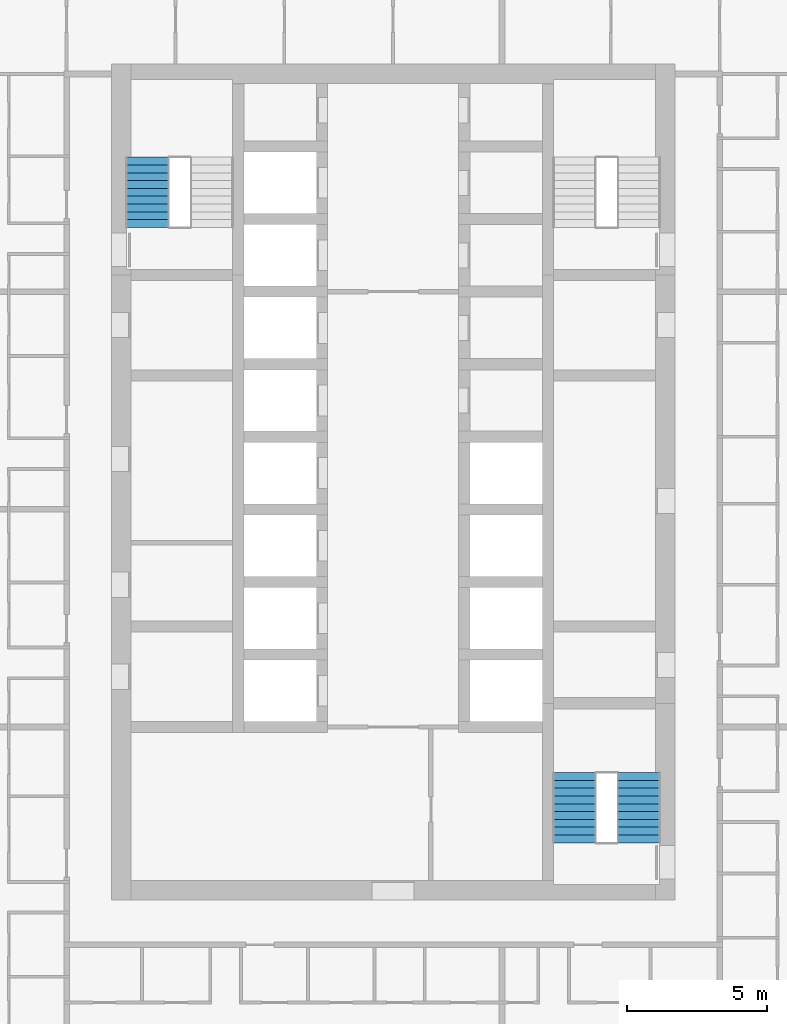
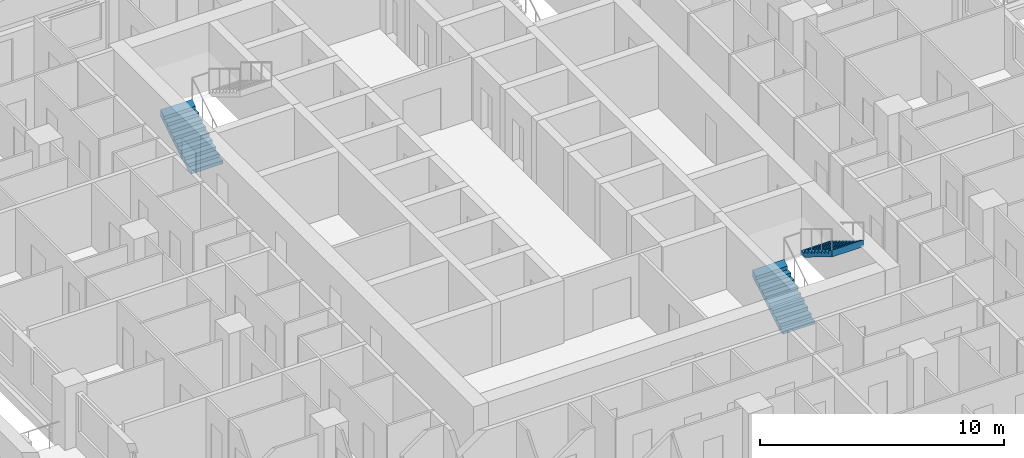
# One storey, part 14 of 17: 3 stair flights, 2 elements without a shape of their own.
"""IFC4 building model written with IfcOpenShell, lengths in metres."""

from ifc_helpers import new_model, si_unit, direction, frame, origin, place, context, subcontext, project, spatial, triangles, material, type_object, element, aggregate, save


model = new_model("IFC4")

# Units and contexts
model_context = context("Model", 3, precision=1e-05, world=origin(), true_north=direction((0.0, 1.0)))
body_context = subcontext(model_context, "Body", "Model", "MODEL_VIEW")
ifc_project = project(units=[si_unit("LENGTHUNIT", "METRE"), si_unit("AREAUNIT", "SQUARE_METRE"), si_unit("VOLUMEUNIT", "CUBIC_METRE"), si_unit("PLANEANGLEUNIT", "RADIAN"), si_unit("MASSUNIT", "GRAM", prefix="KILO")], contexts=[model_context])

# Site, building, storey
site_placement = place(None, origin())
site = spatial("IfcSite", under=ifc_project, at=site_placement, CompositionType="ELEMENT")
building_placement = place(site_placement, origin())
building = spatial("IfcBuilding", under=site, at=building_placement, Name="Ludao Terraces", CompositionType="ELEMENT")
storey_placement = place(building_placement, frame((0.0, 0.0, 19.5)))
storey = spatial("IfcBuildingStorey", under=building, at=storey_placement, Name="L04", CompositionType="ELEMENT", Elevation=19.5)

# Stair, stair flight
ifc_material = material(Name="Concrete C40", Category="concrete")
stair_type = type_object("IfcStairType", Name="INT Stair", PredefinedType="HALF_TURN_STAIR", material=ifc_material)
stair_1_placement = place(storey_placement, origin())
stair_1 = element("IfcStair", 1, at=stair_1_placement, inside=storey, type_object=stair_type, Name="EXIT STAIR 1", PredefinedType="HALF_TURN_STAIR")
stair_flight_type = type_object("IfcStairFlightType", Name="INT Stair flight", PredefinedType="STRAIGHT", material=ifc_material)
stair_flight_1_placement = place(storey_placement, frame((76.199951171875, 79.0, 0.0), z_axis=(0.0, 0.0, 1.0), x_axis=(0.0, 1.0, 0.0)))
stair_flight_1 = element("IfcStairFlight", 2, at=stair_flight_1_placement, type_object=stair_flight_type, Name="ST1 flight 1", NumberOfRisers=10, NumberOfTreads=9, PredefinedType="STRAIGHT", RiserHeight=0.17, TreadLength=0.28, context=body_context, shape_type="Tessellation", body=[
    triangles([(0.0, -0.75, 0.0), (0.0, -0.5, 0.0), (0.0, -0.25, 0.0), (0.0, 0.0, 0.0), (0.0, 0.25, 0.0), (0.0, 0.5, 0.0), (0.0, 0.75, 0.0), (0.0, -0.75, 0.169921875), (0.0, -0.5, 0.169921875), (0.0, -0.25, 0.169921875), (0.0, 0.0, 0.169921875), (0.0, 0.25, 0.169921875), (0.0, 0.5, 0.169921875), (0.0, 0.75, 0.169921875), (0.280029296875, -0.75, 0.169921875), (0.280029296875, -0.5, 0.169921875), (0.280029296875, -0.25, 0.169921875), (0.280029296875, 0.0, 0.169921875), (0.280029296875, 0.25, 0.169921875), (0.280029296875, 0.5, 0.169921875), (0.280029296875, 0.75, 0.169921875), (0.280029296875, -0.75, 0.340087890625), (0.280029296875, -0.5, 0.340087890625), (0.280029296875, -0.25, 0.340087890625), (0.280029296875, 0.0, 0.340087890625), (0.280029296875, 0.25, 0.340087890625), (0.280029296875, 0.5, 0.340087890625), (0.280029296875, 0.75, 0.340087890625), (0.56005859375, -0.75, 0.340087890625), (0.56005859375, -0.5, 0.340087890625), (0.56005859375, -0.25, 0.340087890625), (0.56005859375, 0.0, 0.340087890625), (0.56005859375, 0.25, 0.340087890625), (0.56005859375, 0.5, 0.340087890625), (0.56005859375, 0.75, 0.340087890625), (0.56005859375, -0.75, 0.510009765625), (0.56005859375, -0.5, 0.510009765625), (0.56005859375, -0.25, 0.510009765625), (0.56005859375, 0.0, 0.510009765625), (0.56005859375, 0.25, 0.510009765625), (0.56005859375, 0.5, 0.510009765625), (0.56005859375, 0.75, 0.510009765625), (0.840087890625, -0.75, 0.510009765625), (0.840087890625, -0.5, 0.510009765625), (0.840087890625, -0.25, 0.510009765625), (0.840087890625, 0.0, 0.510009765625), (0.840087890625, 0.25, 0.510009765625), (0.840087890625, 0.5, 0.510009765625), (0.840087890625, 0.75, 0.510009765625), (0.840087890625, -0.75, 0.679931640625), (0.840087890625, -0.5, 0.679931640625), (0.840087890625, -0.25, 0.679931640625), (0.840087890625, 0.0, 0.679931640625), (0.840087890625, 0.25, 0.679931640625), (0.840087890625, 0.5, 0.679931640625), (0.840087890625, 0.75, 0.679931640625), (1.1201171875, -0.75, 0.679931640625), (1.1201171875, -0.5, 0.679931640625), (1.1201171875, -0.25, 0.679931640625), (1.1201171875, 0.0, 0.679931640625), (1.1201171875, 0.25, 0.679931640625), (1.1201171875, 0.5, 0.679931640625), (1.1201171875, 0.75, 0.679931640625), (1.1201171875, -0.75, 0.85009765625), (1.1201171875, -0.5, 0.85009765625), (1.1201171875, -0.25, 0.85009765625), (1.1201171875, 0.0, 0.85009765625), (1.1201171875, 0.25, 0.85009765625), (1.1201171875, 0.5, 0.85009765625), (1.1201171875, 0.75, 0.85009765625), (1.39990234375, -0.75, 0.85009765625), (1.39990234375, -0.5, 0.85009765625), (1.39990234375, -0.25, 0.85009765625), (1.39990234375, 0.0, 0.85009765625), (1.39990234375, 0.25, 0.85009765625), (1.39990234375, 0.5, 0.85009765625), (1.39990234375, 0.75, 0.85009765625), (1.39990234375, -0.75, 1.02001953125), (1.39990234375, -0.5, 1.02001953125), (1.39990234375, -0.25, 1.02001953125), (1.39990234375, 0.0, 1.02001953125), (1.39990234375, 0.25, 1.02001953125), (1.39990234375, 0.5, 1.02001953125), (1.39990234375, 0.75, 1.02001953125), (1.679931640625, -0.75, 1.02001953125), (1.679931640625, -0.5, 1.02001953125), (1.679931640625, -0.25, 1.02001953125), (1.679931640625, 0.0, 1.02001953125), (1.679931640625, 0.25, 1.02001953125), (1.679931640625, 0.5, 1.02001953125), (1.679931640625, 0.75, 1.02001953125), (1.679931640625, -0.75, 1.18994140625), (1.679931640625, -0.5, 1.18994140625), (1.679931640625, -0.25, 1.18994140625), (1.679931640625, 0.0, 1.18994140625), (1.679931640625, 0.25, 1.18994140625), (1.679931640625, 0.5, 1.18994140625), (1.679931640625, 0.75, 1.18994140625), (1.9599609375, -0.75, 1.18994140625), (1.9599609375, -0.5, 1.18994140625), (1.9599609375, -0.25, 1.18994140625), (1.9599609375, 0.0, 1.18994140625), (1.9599609375, 0.25, 1.18994140625), (1.9599609375, 0.5, 1.18994140625), (1.9599609375, 0.75, 1.18994140625), (1.9599609375, -0.75, 1.360107421875), (1.9599609375, -0.5, 1.360107421875), (1.9599609375, -0.25, 1.360107421875), (1.9599609375, 0.0, 1.360107421875), (1.9599609375, 0.25, 1.360107421875), (1.9599609375, 0.5, 1.360107421875), (1.9599609375, 0.75, 1.360107421875), (2.239990234375, -0.75, 1.360107421875), (2.239990234375, -0.5, 1.360107421875), (2.239990234375, -0.25, 1.360107421875), (2.239990234375, 0.0, 1.360107421875), (2.239990234375, 0.25, 1.360107421875), (2.239990234375, 0.5, 1.360107421875), (2.239990234375, 0.75, 1.360107421875), (2.239990234375, -0.75, 1.530029296875), (2.239990234375, -0.5, 1.530029296875), (2.239990234375, -0.25, 1.530029296875), (2.239990234375, 0.0, 1.530029296875), (2.239990234375, 0.25, 1.530029296875), (2.239990234375, 0.5, 1.530029296875), (2.239990234375, 0.75, 1.530029296875), (2.52001953125, -0.75, 1.699951171875), (2.52001953125, -0.5, 1.699951171875), (2.52001953125, -0.25, 1.699951171875), (2.52001953125, 0.0, 1.699951171875), (2.52001953125, 0.25, 1.699951171875), (2.52001953125, 0.5, 1.699951171875), (2.52001953125, 0.75, 1.699951171875), (2.52001953125, -0.75, 1.354736328125), (2.52001953125, -0.5, 1.354736328125), (2.52001953125, -0.25, 1.354736328125), (2.52001953125, 0.0, 1.354736328125), (2.52001953125, 0.25, 1.354736328125), (2.52001953125, 0.5, 1.354736328125), (2.52001953125, 0.75, 1.354736328125), (0.288818359375, -0.75, 0.0), (0.288818359375, -0.5, 0.0), (0.288818359375, -0.25, 0.0), (0.288818359375, 0.0, 0.0), (0.288818359375, 0.25, 0.0), (0.288818359375, 0.5, 0.0), (0.288818359375, 0.75, 0.0)], [[1, 141, 134], [7, 140, 147], [134, 127, 120], [140, 126, 133], [134, 120, 113], [140, 119, 126], [134, 113, 106], [140, 112, 119], [134, 106, 99], [140, 105, 112], [99, 92, 85], [105, 91, 98], [134, 99, 85], [140, 91, 105], [85, 78, 71], [91, 77, 84], [134, 85, 71], [140, 77, 91], [71, 64, 57], [77, 63, 70], [134, 71, 57], [140, 63, 77], [57, 50, 43], [63, 49, 56], [134, 57, 43], [140, 49, 63], [43, 36, 29], [49, 35, 42], [134, 43, 29], [140, 35, 49], [29, 22, 15], [35, 21, 28], [134, 29, 15], [140, 21, 35], [1, 134, 15], [7, 21, 140], [15, 8, 1], [21, 7, 14], [1, 9, 2], [1, 8, 9], [2, 10, 3], [2, 9, 10], [3, 11, 4], [3, 10, 11], [4, 12, 5], [4, 11, 12], [5, 13, 6], [5, 12, 13], [6, 14, 7], [6, 13, 14], [8, 16, 9], [8, 15, 16], [9, 17, 10], [9, 16, 17], [10, 18, 11], [10, 17, 18], [11, 19, 12], [11, 18, 19], [12, 20, 13], [12, 19, 20], [13, 21, 14], [13, 20, 21], [15, 23, 16], [15, 22, 23], [16, 24, 17], [16, 23, 24], [17, 25, 18], [17, 24, 25], [18, 26, 19], [18, 25, 26], [19, 27, 20], [19, 26, 27], [20, 28, 21], [20, 27, 28], [22, 30, 23], [22, 29, 30], [23, 31, 24], [23, 30, 31], [24, 32, 25], [24, 31, 32], [25, 33, 26], [25, 32, 33], [26, 34, 27], [26, 33, 34], [27, 35, 28], [27, 34, 35], [29, 37, 30], [29, 36, 37], [30, 38, 31], [30, 37, 38], [31, 39, 32], [31, 38, 39], [32, 40, 33], [32, 39, 40], [33, 41, 34], [33, 40, 41], [34, 42, 35], [34, 41, 42], [36, 44, 37], [36, 43, 44], [37, 45, 38], [37, 44, 45], [38, 46, 39], [38, 45, 46], [39, 47, 40], [39, 46, 47], [40, 48, 41], [40, 47, 48], [41, 49, 42], [41, 48, 49], [43, 51, 44], [43, 50, 51], [44, 52, 45], [44, 51, 52], [45, 53, 46], [45, 52, 53], [46, 54, 47], [46, 53, 54], [47, 55, 48], [47, 54, 55], [48, 56, 49], [48, 55, 56], [50, 58, 51], [50, 57, 58], [51, 59, 52], [51, 58, 59], [52, 60, 53], [52, 59, 60], [53, 61, 54], [53, 60, 61], [54, 62, 55], [54, 61, 62], [55, 63, 56], [55, 62, 63], [57, 65, 58], [57, 64, 65], [58, 66, 59], [58, 65, 66], [59, 67, 60], [59, 66, 67], [60, 68, 61], [60, 67, 68], [61, 69, 62], [61, 68, 69], [62, 70, 63], [62, 69, 70], [64, 72, 65], [64, 71, 72], [65, 73, 66], [65, 72, 73], [66, 74, 67], [66, 73, 74], [67, 75, 68], [67, 74, 75], [68, 76, 69], [68, 75, 76], [69, 77, 70], [69, 76, 77], [71, 79, 72], [71, 78, 79], [72, 80, 73], [72, 79, 80], [73, 81, 74], [73, 80, 81], [74, 82, 75], [74, 81, 82], [75, 83, 76], [75, 82, 83], [76, 84, 77], [76, 83, 84], [78, 86, 79], [78, 85, 86], [79, 87, 80], [79, 86, 87], [80, 88, 81], [80, 87, 88], [81, 89, 82], [81, 88, 89], [82, 90, 83], [82, 89, 90], [83, 91, 84], [83, 90, 91], [85, 93, 86], [85, 92, 93], [86, 94, 87], [86, 93, 94], [87, 95, 88], [87, 94, 95], [88, 96, 89], [88, 95, 96], [89, 97, 90], [89, 96, 97], [90, 98, 91], [90, 97, 98], [92, 100, 93], [92, 99, 100], [93, 101, 94], [93, 100, 101], [94, 102, 95], [94, 101, 102], [95, 103, 96], [95, 102, 103], [96, 104, 97], [96, 103, 104], [97, 105, 98], [97, 104, 105], [99, 107, 100], [99, 106, 107], [100, 108, 101], [100, 107, 108], [101, 109, 102], [101, 108, 109], [102, 110, 103], [102, 109, 110], [103, 111, 104], [103, 110, 111], [104, 112, 105], [104, 111, 112], [106, 114, 107], [106, 113, 114], [107, 115, 108], [107, 114, 115], [108, 116, 109], [108, 115, 116], [109, 117, 110], [109, 116, 117], [110, 118, 111], [110, 117, 118], [111, 119, 112], [111, 118, 119], [113, 121, 114], [113, 120, 121], [114, 122, 115], [114, 121, 122], [115, 123, 116], [115, 122, 123], [116, 124, 117], [116, 123, 124], [117, 125, 118], [117, 124, 125], [118, 126, 119], [118, 125, 126], [120, 128, 121], [120, 127, 128], [121, 129, 122], [121, 128, 129], [122, 130, 123], [122, 129, 130], [123, 131, 124], [123, 130, 131], [124, 132, 125], [124, 131, 132], [125, 133, 126], [125, 132, 133], [127, 135, 128], [127, 134, 135], [128, 136, 129], [128, 135, 136], [129, 137, 130], [129, 136, 137], [130, 138, 131], [130, 137, 138], [131, 139, 132], [131, 138, 139], [132, 140, 133], [132, 139, 140], [134, 142, 135], [134, 141, 142], [135, 143, 136], [135, 142, 143], [136, 144, 137], [136, 143, 144], [137, 145, 138], [137, 144, 145], [138, 146, 139], [138, 145, 146], [139, 147, 140], [139, 146, 147], [141, 2, 142], [141, 1, 2], [142, 3, 143], [142, 2, 3], [143, 4, 144], [143, 3, 4], [144, 5, 145], [144, 4, 5], [145, 6, 146], [145, 5, 6], [146, 7, 147], [146, 6, 7]], closed=True),
])
aggregate(stair_1, [stair_flight_1])

# Stair, stair flights
stair_2_placement = place(storey_placement, origin())
stair_2 = element("IfcStair", 3, at=stair_2_placement, inside=storey, type_object=stair_type, Name="EXIT STAIR 3", PredefinedType="HALF_TURN_STAIR")
stair_flight_2_placement = place(storey_placement, frame((91.5, 56.949951171875, 0.0), z_axis=(0.0, 0.0, 1.0), x_axis=(0.0, 1.0, 0.0)))
stair_flight_2 = element("IfcStairFlight", 4, at=stair_flight_2_placement, type_object=stair_flight_type, Name="ST3 flight 1", NumberOfRisers=10, NumberOfTreads=9, PredefinedType="STRAIGHT", RiserHeight=0.17, TreadLength=0.28, context=body_context, shape_type="Tessellation", body=[
    triangles([(0.0, -0.75, 0.0), (0.0, -0.5, 0.0), (0.0, -0.25, 0.0), (0.0, 0.0, 0.0), (0.0, 0.25, 0.0), (0.0, 0.5, 0.0), (0.0, 0.75, 0.0), (0.0, -0.75, 0.169921875), (0.0, -0.5, 0.169921875), (0.0, -0.25, 0.169921875), (0.0, 0.0, 0.169921875), (0.0, 0.25, 0.169921875), (0.0, 0.5, 0.169921875), (0.0, 0.75, 0.169921875), (0.280029296875, -0.75, 0.169921875), (0.280029296875, -0.5, 0.169921875), (0.280029296875, -0.25, 0.169921875), (0.280029296875, 0.0, 0.169921875), (0.280029296875, 0.25, 0.169921875), (0.280029296875, 0.5, 0.169921875), (0.280029296875, 0.75, 0.169921875), (0.280029296875, -0.75, 0.340087890625), (0.280029296875, -0.5, 0.340087890625), (0.280029296875, -0.25, 0.340087890625), (0.280029296875, 0.0, 0.340087890625), (0.280029296875, 0.25, 0.340087890625), (0.280029296875, 0.5, 0.340087890625), (0.280029296875, 0.75, 0.340087890625), (0.56005859375, -0.75, 0.340087890625), (0.56005859375, -0.5, 0.340087890625), (0.56005859375, -0.25, 0.340087890625), (0.56005859375, 0.0, 0.340087890625), (0.56005859375, 0.25, 0.340087890625), (0.56005859375, 0.5, 0.340087890625), (0.56005859375, 0.75, 0.340087890625), (0.56005859375, -0.75, 0.510009765625), (0.56005859375, -0.5, 0.510009765625), (0.56005859375, -0.25, 0.510009765625), (0.56005859375, 0.0, 0.510009765625), (0.56005859375, 0.25, 0.510009765625), (0.56005859375, 0.5, 0.510009765625), (0.56005859375, 0.75, 0.510009765625), (0.840087890625, -0.75, 0.510009765625), (0.840087890625, -0.5, 0.510009765625), (0.840087890625, -0.25, 0.510009765625), (0.840087890625, 0.0, 0.510009765625), (0.840087890625, 0.25, 0.510009765625), (0.840087890625, 0.5, 0.510009765625), (0.840087890625, 0.75, 0.510009765625), (0.840087890625, -0.75, 0.679931640625), (0.840087890625, -0.5, 0.679931640625), (0.840087890625, -0.25, 0.679931640625), (0.840087890625, 0.0, 0.679931640625), (0.840087890625, 0.25, 0.679931640625), (0.840087890625, 0.5, 0.679931640625), (0.840087890625, 0.75, 0.679931640625), (1.1201171875, -0.75, 0.679931640625), (1.1201171875, -0.5, 0.679931640625), (1.1201171875, -0.25, 0.679931640625), (1.1201171875, 0.0, 0.679931640625), (1.1201171875, 0.25, 0.679931640625), (1.1201171875, 0.5, 0.679931640625), (1.1201171875, 0.75, 0.679931640625), (1.1201171875, -0.75, 0.85009765625), (1.1201171875, -0.5, 0.85009765625), (1.1201171875, -0.25, 0.85009765625), (1.1201171875, 0.0, 0.85009765625), (1.1201171875, 0.25, 0.85009765625), (1.1201171875, 0.5, 0.85009765625), (1.1201171875, 0.75, 0.85009765625), (1.39990234375, -0.75, 0.85009765625), (1.39990234375, -0.5, 0.85009765625), (1.39990234375, -0.25, 0.85009765625), (1.39990234375, 0.0, 0.85009765625), (1.39990234375, 0.25, 0.85009765625), (1.39990234375, 0.5, 0.85009765625), (1.39990234375, 0.75, 0.85009765625), (1.39990234375, -0.75, 1.02001953125), (1.39990234375, -0.5, 1.02001953125), (1.39990234375, -0.25, 1.02001953125), (1.39990234375, 0.0, 1.02001953125), (1.39990234375, 0.25, 1.02001953125), (1.39990234375, 0.5, 1.02001953125), (1.39990234375, 0.75, 1.02001953125), (1.679931640625, -0.75, 1.02001953125), (1.679931640625, -0.5, 1.02001953125), (1.679931640625, -0.25, 1.02001953125), (1.679931640625, 0.0, 1.02001953125), (1.679931640625, 0.25, 1.02001953125), (1.679931640625, 0.5, 1.02001953125), (1.679931640625, 0.75, 1.02001953125), (1.679931640625, -0.75, 1.18994140625), (1.679931640625, -0.5, 1.18994140625), (1.679931640625, -0.25, 1.18994140625), (1.679931640625, 0.0, 1.18994140625), (1.679931640625, 0.25, 1.18994140625), (1.679931640625, 0.5, 1.18994140625), (1.679931640625, 0.75, 1.18994140625), (1.9599609375, -0.75, 1.18994140625), (1.9599609375, -0.5, 1.18994140625), (1.9599609375, -0.25, 1.18994140625), (1.9599609375, 0.0, 1.18994140625), (1.9599609375, 0.25, 1.18994140625), (1.9599609375, 0.5, 1.18994140625), (1.9599609375, 0.75, 1.18994140625), (1.9599609375, -0.75, 1.360107421875), (1.9599609375, -0.5, 1.360107421875), (1.9599609375, -0.25, 1.360107421875), (1.9599609375, 0.0, 1.360107421875), (1.9599609375, 0.25, 1.360107421875), (1.9599609375, 0.5, 1.360107421875), (1.9599609375, 0.75, 1.360107421875), (2.239990234375, -0.75, 1.360107421875), (2.239990234375, -0.5, 1.360107421875), (2.239990234375, -0.25, 1.360107421875), (2.239990234375, 0.0, 1.360107421875), (2.239990234375, 0.25, 1.360107421875), (2.239990234375, 0.5, 1.360107421875), (2.239990234375, 0.75, 1.360107421875), (2.239990234375, -0.75, 1.530029296875), (2.239990234375, -0.5, 1.530029296875), (2.239990234375, -0.25, 1.530029296875), (2.239990234375, 0.0, 1.530029296875), (2.239990234375, 0.25, 1.530029296875), (2.239990234375, 0.5, 1.530029296875), (2.239990234375, 0.75, 1.530029296875), (2.52001953125, -0.75, 1.699951171875), (2.52001953125, -0.5, 1.699951171875), (2.52001953125, -0.25, 1.699951171875), (2.52001953125, 0.0, 1.699951171875), (2.52001953125, 0.25, 1.699951171875), (2.52001953125, 0.5, 1.699951171875), (2.52001953125, 0.75, 1.699951171875), (2.52001953125, -0.75, 1.354736328125), (2.52001953125, -0.5, 1.354736328125), (2.52001953125, -0.25, 1.354736328125), (2.52001953125, 0.0, 1.354736328125), (2.52001953125, 0.25, 1.354736328125), (2.52001953125, 0.5, 1.354736328125), (2.52001953125, 0.75, 1.354736328125), (0.288818359375, -0.75, 0.0), (0.288818359375, -0.5, 0.0), (0.288818359375, -0.25, 0.0), (0.288818359375, 0.0, 0.0), (0.288818359375, 0.25, 0.0), (0.288818359375, 0.5, 0.0), (0.288818359375, 0.75, 0.0)], [[1, 141, 134], [7, 140, 147], [134, 127, 120], [140, 126, 133], [134, 120, 113], [140, 119, 126], [134, 113, 106], [140, 112, 119], [134, 106, 99], [140, 105, 112], [99, 92, 85], [105, 91, 98], [134, 99, 85], [140, 91, 105], [85, 78, 71], [91, 77, 84], [134, 85, 71], [140, 77, 91], [71, 64, 57], [77, 63, 70], [134, 71, 57], [140, 63, 77], [57, 50, 43], [63, 49, 56], [134, 57, 43], [140, 49, 63], [43, 36, 29], [49, 35, 42], [134, 43, 29], [140, 35, 49], [29, 22, 15], [35, 21, 28], [134, 29, 15], [140, 21, 35], [1, 134, 15], [7, 21, 140], [15, 8, 1], [21, 7, 14], [1, 9, 2], [1, 8, 9], [2, 10, 3], [2, 9, 10], [3, 11, 4], [3, 10, 11], [4, 12, 5], [4, 11, 12], [5, 13, 6], [5, 12, 13], [6, 14, 7], [6, 13, 14], [8, 16, 9], [8, 15, 16], [9, 17, 10], [9, 16, 17], [10, 18, 11], [10, 17, 18], [11, 19, 12], [11, 18, 19], [12, 20, 13], [12, 19, 20], [13, 21, 14], [13, 20, 21], [15, 23, 16], [15, 22, 23], [16, 24, 17], [16, 23, 24], [17, 25, 18], [17, 24, 25], [18, 26, 19], [18, 25, 26], [19, 27, 20], [19, 26, 27], [20, 28, 21], [20, 27, 28], [22, 30, 23], [22, 29, 30], [23, 31, 24], [23, 30, 31], [24, 32, 25], [24, 31, 32], [25, 33, 26], [25, 32, 33], [26, 34, 27], [26, 33, 34], [27, 35, 28], [27, 34, 35], [29, 37, 30], [29, 36, 37], [30, 38, 31], [30, 37, 38], [31, 39, 32], [31, 38, 39], [32, 40, 33], [32, 39, 40], [33, 41, 34], [33, 40, 41], [34, 42, 35], [34, 41, 42], [36, 44, 37], [36, 43, 44], [37, 45, 38], [37, 44, 45], [38, 46, 39], [38, 45, 46], [39, 47, 40], [39, 46, 47], [40, 48, 41], [40, 47, 48], [41, 49, 42], [41, 48, 49], [43, 51, 44], [43, 50, 51], [44, 52, 45], [44, 51, 52], [45, 53, 46], [45, 52, 53], [46, 54, 47], [46, 53, 54], [47, 55, 48], [47, 54, 55], [48, 56, 49], [48, 55, 56], [50, 58, 51], [50, 57, 58], [51, 59, 52], [51, 58, 59], [52, 60, 53], [52, 59, 60], [53, 61, 54], [53, 60, 61], [54, 62, 55], [54, 61, 62], [55, 63, 56], [55, 62, 63], [57, 65, 58], [57, 64, 65], [58, 66, 59], [58, 65, 66], [59, 67, 60], [59, 66, 67], [60, 68, 61], [60, 67, 68], [61, 69, 62], [61, 68, 69], [62, 70, 63], [62, 69, 70], [64, 72, 65], [64, 71, 72], [65, 73, 66], [65, 72, 73], [66, 74, 67], [66, 73, 74], [67, 75, 68], [67, 74, 75], [68, 76, 69], [68, 75, 76], [69, 77, 70], [69, 76, 77], [71, 79, 72], [71, 78, 79], [72, 80, 73], [72, 79, 80], [73, 81, 74], [73, 80, 81], [74, 82, 75], [74, 81, 82], [75, 83, 76], [75, 82, 83], [76, 84, 77], [76, 83, 84], [78, 86, 79], [78, 85, 86], [79, 87, 80], [79, 86, 87], [80, 88, 81], [80, 87, 88], [81, 89, 82], [81, 88, 89], [82, 90, 83], [82, 89, 90], [83, 91, 84], [83, 90, 91], [85, 93, 86], [85, 92, 93], [86, 94, 87], [86, 93, 94], [87, 95, 88], [87, 94, 95], [88, 96, 89], [88, 95, 96], [89, 97, 90], [89, 96, 97], [90, 98, 91], [90, 97, 98], [92, 100, 93], [92, 99, 100], [93, 101, 94], [93, 100, 101], [94, 102, 95], [94, 101, 102], [95, 103, 96], [95, 102, 103], [96, 104, 97], [96, 103, 104], [97, 105, 98], [97, 104, 105], [99, 107, 100], [99, 106, 107], [100, 108, 101], [100, 107, 108], [101, 109, 102], [101, 108, 109], [102, 110, 103], [102, 109, 110], [103, 111, 104], [103, 110, 111], [104, 112, 105], [104, 111, 112], [106, 114, 107], [106, 113, 114], [107, 115, 108], [107, 114, 115], [108, 116, 109], [108, 115, 116], [109, 117, 110], [109, 116, 117], [110, 118, 111], [110, 117, 118], [111, 119, 112], [111, 118, 119], [113, 121, 114], [113, 120, 121], [114, 122, 115], [114, 121, 122], [115, 123, 116], [115, 122, 123], [116, 124, 117], [116, 123, 124], [117, 125, 118], [117, 124, 125], [118, 126, 119], [118, 125, 126], [120, 128, 121], [120, 127, 128], [121, 129, 122], [121, 128, 129], [122, 130, 123], [122, 129, 130], [123, 131, 124], [123, 130, 131], [124, 132, 125], [124, 131, 132], [125, 133, 126], [125, 132, 133], [127, 135, 128], [127, 134, 135], [128, 136, 129], [128, 135, 136], [129, 137, 130], [129, 136, 137], [130, 138, 131], [130, 137, 138], [131, 139, 132], [131, 138, 139], [132, 140, 133], [132, 139, 140], [134, 142, 135], [134, 141, 142], [135, 143, 136], [135, 142, 143], [136, 144, 137], [136, 143, 144], [137, 145, 138], [137, 144, 145], [138, 146, 139], [138, 145, 146], [139, 147, 140], [139, 146, 147], [141, 2, 142], [141, 1, 2], [142, 3, 143], [142, 2, 3], [143, 4, 144], [143, 3, 4], [144, 5, 145], [144, 4, 5], [145, 6, 146], [145, 5, 6], [146, 7, 147], [146, 6, 7]], closed=True),
])
stair_flight_3_placement = place(storey_placement, frame((93.800048828125, 59.469970703125, 1.699951171875), z_axis=(0.0, 0.0, 1.0), x_axis=(0.0, -1.0, 0.0)))
stair_flight_3 = element("IfcStairFlight", 5, at=stair_flight_3_placement, type_object=stair_flight_type, Name="ST3 flight 2", NumberOfRisers=10, NumberOfTreads=9, PredefinedType="STRAIGHT", RiserHeight=0.17, TreadLength=0.28, context=body_context, shape_type="Tessellation", body=[
    triangles([(0.0, -0.75, 0.0), (0.0, -0.5, 0.0), (0.0, -0.25, 0.0), (0.0, 0.0, 0.0), (0.0, 0.25, 0.0), (0.0, 0.5, 0.0), (0.0, 0.75, 0.0), (0.0, -0.75, 0.169921875), (0.0, -0.5, 0.169921875), (0.0, -0.25, 0.169921875), (0.0, 0.0, 0.169921875), (0.0, 0.25, 0.169921875), (0.0, 0.5, 0.169921875), (0.0, 0.75, 0.169921875), (0.280029296875, -0.75, 0.169921875), (0.280029296875, -0.5, 0.169921875), (0.280029296875, -0.25, 0.169921875), (0.280029296875, 0.0, 0.169921875), (0.280029296875, 0.25, 0.169921875), (0.280029296875, 0.5, 0.169921875), (0.280029296875, 0.75, 0.169921875), (0.280029296875, -0.75, 0.340087890625), (0.280029296875, -0.5, 0.340087890625), (0.280029296875, -0.25, 0.340087890625), (0.280029296875, 0.0, 0.340087890625), (0.280029296875, 0.25, 0.340087890625), (0.280029296875, 0.5, 0.340087890625), (0.280029296875, 0.75, 0.340087890625), (0.56005859375, -0.75, 0.340087890625), (0.56005859375, -0.5, 0.340087890625), (0.56005859375, -0.25, 0.340087890625), (0.56005859375, 0.0, 0.340087890625), (0.56005859375, 0.25, 0.340087890625), (0.56005859375, 0.5, 0.340087890625), (0.56005859375, 0.75, 0.340087890625), (0.56005859375, -0.75, 0.510009765625), (0.56005859375, -0.5, 0.510009765625), (0.56005859375, -0.25, 0.510009765625), (0.56005859375, 0.0, 0.510009765625), (0.56005859375, 0.25, 0.510009765625), (0.56005859375, 0.5, 0.510009765625), (0.56005859375, 0.75, 0.510009765625), (0.840087890625, -0.75, 0.510009765625), (0.840087890625, -0.5, 0.510009765625), (0.840087890625, -0.25, 0.510009765625), (0.840087890625, 0.0, 0.510009765625), (0.840087890625, 0.25, 0.510009765625), (0.840087890625, 0.5, 0.510009765625), (0.840087890625, 0.75, 0.510009765625), (0.840087890625, -0.75, 0.679931640625), (0.840087890625, -0.5, 0.679931640625), (0.840087890625, -0.25, 0.679931640625), (0.840087890625, 0.0, 0.679931640625), (0.840087890625, 0.25, 0.679931640625), (0.840087890625, 0.5, 0.679931640625), (0.840087890625, 0.75, 0.679931640625), (1.1201171875, -0.75, 0.679931640625), (1.1201171875, -0.5, 0.679931640625), (1.1201171875, -0.25, 0.679931640625), (1.1201171875, 0.0, 0.679931640625), (1.1201171875, 0.25, 0.679931640625), (1.1201171875, 0.5, 0.679931640625), (1.1201171875, 0.75, 0.679931640625), (1.1201171875, -0.75, 0.85009765625), (1.1201171875, -0.5, 0.85009765625), (1.1201171875, -0.25, 0.85009765625), (1.1201171875, 0.0, 0.85009765625), (1.1201171875, 0.25, 0.85009765625), (1.1201171875, 0.5, 0.85009765625), (1.1201171875, 0.75, 0.85009765625), (1.39990234375, -0.75, 0.85009765625), (1.39990234375, -0.5, 0.85009765625), (1.39990234375, -0.25, 0.85009765625), (1.39990234375, 0.0, 0.85009765625), (1.39990234375, 0.25, 0.85009765625), (1.39990234375, 0.5, 0.85009765625), (1.39990234375, 0.75, 0.85009765625), (1.39990234375, -0.75, 1.02001953125), (1.39990234375, -0.5, 1.02001953125), (1.39990234375, -0.25, 1.02001953125), (1.39990234375, 0.0, 1.02001953125), (1.39990234375, 0.25, 1.02001953125), (1.39990234375, 0.5, 1.02001953125), (1.39990234375, 0.75, 1.02001953125), (1.679931640625, -0.75, 1.02001953125), (1.679931640625, -0.5, 1.02001953125), (1.679931640625, -0.25, 1.02001953125), (1.679931640625, 0.0, 1.02001953125), (1.679931640625, 0.25, 1.02001953125), (1.679931640625, 0.5, 1.02001953125), (1.679931640625, 0.75, 1.02001953125), (1.679931640625, -0.75, 1.18994140625), (1.679931640625, -0.5, 1.18994140625), (1.679931640625, -0.25, 1.18994140625), (1.679931640625, 0.0, 1.18994140625), (1.679931640625, 0.25, 1.18994140625), (1.679931640625, 0.5, 1.18994140625), (1.679931640625, 0.75, 1.18994140625), (1.9599609375, -0.75, 1.18994140625), (1.9599609375, -0.5, 1.18994140625), (1.9599609375, -0.25, 1.18994140625), (1.9599609375, 0.0, 1.18994140625), (1.9599609375, 0.25, 1.18994140625), (1.9599609375, 0.5, 1.18994140625), (1.9599609375, 0.75, 1.18994140625), (1.9599609375, -0.75, 1.360107421875), (1.9599609375, -0.5, 1.360107421875), (1.9599609375, -0.25, 1.360107421875), (1.9599609375, 0.0, 1.360107421875), (1.9599609375, 0.25, 1.360107421875), (1.9599609375, 0.5, 1.360107421875), (1.9599609375, 0.75, 1.360107421875), (2.239990234375, -0.75, 1.360107421875), (2.239990234375, -0.5, 1.360107421875), (2.239990234375, -0.25, 1.360107421875), (2.239990234375, 0.0, 1.360107421875), (2.239990234375, 0.25, 1.360107421875), (2.239990234375, 0.5, 1.360107421875), (2.239990234375, 0.75, 1.360107421875), (2.239990234375, -0.75, 1.530029296875), (2.239990234375, -0.5, 1.530029296875), (2.239990234375, -0.25, 1.530029296875), (2.239990234375, 0.0, 1.530029296875), (2.239990234375, 0.25, 1.530029296875), (2.239990234375, 0.5, 1.530029296875), (2.239990234375, 0.75, 1.530029296875), (2.52001953125, -0.75, 1.699951171875), (2.52001953125, -0.5, 1.699951171875), (2.52001953125, -0.25, 1.699951171875), (2.52001953125, 0.0, 1.699951171875), (2.52001953125, 0.25, 1.699951171875), (2.52001953125, 0.5, 1.699951171875), (2.52001953125, 0.75, 1.699951171875), (2.52001953125, -0.75, 1.354736328125), (2.52001953125, -0.5, 1.354736328125), (2.52001953125, -0.25, 1.354736328125), (2.52001953125, 0.0, 1.354736328125), (2.52001953125, 0.25, 1.354736328125), (2.52001953125, 0.5, 1.354736328125), (2.52001953125, 0.75, 1.354736328125), (0.288818359375, -0.75, 0.0), (0.288818359375, -0.5, 0.0), (0.288818359375, -0.25, 0.0), (0.288818359375, 0.0, 0.0), (0.288818359375, 0.25, 0.0), (0.288818359375, 0.5, 0.0), (0.288818359375, 0.75, 0.0)], [[1, 141, 134], [7, 140, 147], [134, 127, 120], [140, 126, 133], [134, 120, 113], [140, 119, 126], [134, 113, 106], [140, 112, 119], [134, 106, 99], [140, 105, 112], [99, 92, 85], [105, 91, 98], [134, 99, 85], [140, 91, 105], [85, 78, 71], [91, 77, 84], [134, 85, 71], [140, 77, 91], [71, 64, 57], [77, 63, 70], [134, 71, 57], [140, 63, 77], [57, 50, 43], [63, 49, 56], [134, 57, 43], [140, 49, 63], [43, 36, 29], [49, 35, 42], [134, 43, 29], [140, 35, 49], [29, 22, 15], [35, 21, 28], [134, 29, 15], [140, 21, 35], [1, 134, 15], [7, 21, 140], [15, 8, 1], [21, 7, 14], [1, 9, 2], [1, 8, 9], [2, 10, 3], [2, 9, 10], [3, 11, 4], [3, 10, 11], [4, 12, 5], [4, 11, 12], [5, 13, 6], [5, 12, 13], [6, 14, 7], [6, 13, 14], [8, 16, 9], [8, 15, 16], [9, 17, 10], [9, 16, 17], [10, 18, 11], [10, 17, 18], [11, 19, 12], [11, 18, 19], [12, 20, 13], [12, 19, 20], [13, 21, 14], [13, 20, 21], [15, 23, 16], [15, 22, 23], [16, 24, 17], [16, 23, 24], [17, 25, 18], [17, 24, 25], [18, 26, 19], [18, 25, 26], [19, 27, 20], [19, 26, 27], [20, 28, 21], [20, 27, 28], [22, 30, 23], [22, 29, 30], [23, 31, 24], [23, 30, 31], [24, 32, 25], [24, 31, 32], [25, 33, 26], [25, 32, 33], [26, 34, 27], [26, 33, 34], [27, 35, 28], [27, 34, 35], [29, 37, 30], [29, 36, 37], [30, 38, 31], [30, 37, 38], [31, 39, 32], [31, 38, 39], [32, 40, 33], [32, 39, 40], [33, 41, 34], [33, 40, 41], [34, 42, 35], [34, 41, 42], [36, 44, 37], [36, 43, 44], [37, 45, 38], [37, 44, 45], [38, 46, 39], [38, 45, 46], [39, 47, 40], [39, 46, 47], [40, 48, 41], [40, 47, 48], [41, 49, 42], [41, 48, 49], [43, 51, 44], [43, 50, 51], [44, 52, 45], [44, 51, 52], [45, 53, 46], [45, 52, 53], [46, 54, 47], [46, 53, 54], [47, 55, 48], [47, 54, 55], [48, 56, 49], [48, 55, 56], [50, 58, 51], [50, 57, 58], [51, 59, 52], [51, 58, 59], [52, 60, 53], [52, 59, 60], [53, 61, 54], [53, 60, 61], [54, 62, 55], [54, 61, 62], [55, 63, 56], [55, 62, 63], [57, 65, 58], [57, 64, 65], [58, 66, 59], [58, 65, 66], [59, 67, 60], [59, 66, 67], [60, 68, 61], [60, 67, 68], [61, 69, 62], [61, 68, 69], [62, 70, 63], [62, 69, 70], [64, 72, 65], [64, 71, 72], [65, 73, 66], [65, 72, 73], [66, 74, 67], [66, 73, 74], [67, 75, 68], [67, 74, 75], [68, 76, 69], [68, 75, 76], [69, 77, 70], [69, 76, 77], [71, 79, 72], [71, 78, 79], [72, 80, 73], [72, 79, 80], [73, 81, 74], [73, 80, 81], [74, 82, 75], [74, 81, 82], [75, 83, 76], [75, 82, 83], [76, 84, 77], [76, 83, 84], [78, 86, 79], [78, 85, 86], [79, 87, 80], [79, 86, 87], [80, 88, 81], [80, 87, 88], [81, 89, 82], [81, 88, 89], [82, 90, 83], [82, 89, 90], [83, 91, 84], [83, 90, 91], [85, 93, 86], [85, 92, 93], [86, 94, 87], [86, 93, 94], [87, 95, 88], [87, 94, 95], [88, 96, 89], [88, 95, 96], [89, 97, 90], [89, 96, 97], [90, 98, 91], [90, 97, 98], [92, 100, 93], [92, 99, 100], [93, 101, 94], [93, 100, 101], [94, 102, 95], [94, 101, 102], [95, 103, 96], [95, 102, 103], [96, 104, 97], [96, 103, 104], [97, 105, 98], [97, 104, 105], [99, 107, 100], [99, 106, 107], [100, 108, 101], [100, 107, 108], [101, 109, 102], [101, 108, 109], [102, 110, 103], [102, 109, 110], [103, 111, 104], [103, 110, 111], [104, 112, 105], [104, 111, 112], [106, 114, 107], [106, 113, 114], [107, 115, 108], [107, 114, 115], [108, 116, 109], [108, 115, 116], [109, 117, 110], [109, 116, 117], [110, 118, 111], [110, 117, 118], [111, 119, 112], [111, 118, 119], [113, 121, 114], [113, 120, 121], [114, 122, 115], [114, 121, 122], [115, 123, 116], [115, 122, 123], [116, 124, 117], [116, 123, 124], [117, 125, 118], [117, 124, 125], [118, 126, 119], [118, 125, 126], [120, 128, 121], [120, 127, 128], [121, 129, 122], [121, 128, 129], [122, 130, 123], [122, 129, 130], [123, 131, 124], [123, 130, 131], [124, 132, 125], [124, 131, 132], [125, 133, 126], [125, 132, 133], [127, 135, 128], [127, 134, 135], [128, 136, 129], [128, 135, 136], [129, 137, 130], [129, 136, 137], [130, 138, 131], [130, 137, 138], [131, 139, 132], [131, 138, 139], [132, 140, 133], [132, 139, 140], [134, 142, 135], [134, 141, 142], [135, 143, 136], [135, 142, 143], [136, 144, 137], [136, 143, 144], [137, 145, 138], [137, 144, 145], [138, 146, 139], [138, 145, 146], [139, 147, 140], [139, 146, 147], [141, 2, 142], [141, 1, 2], [142, 3, 143], [142, 2, 3], [143, 4, 144], [143, 3, 4], [144, 5, 145], [144, 4, 5], [145, 6, 146], [145, 5, 6], [146, 7, 147], [146, 6, 7]], closed=True),
])
aggregate(stair_2, [stair_flight_2, stair_flight_3])

save(model, "model.ifc")
